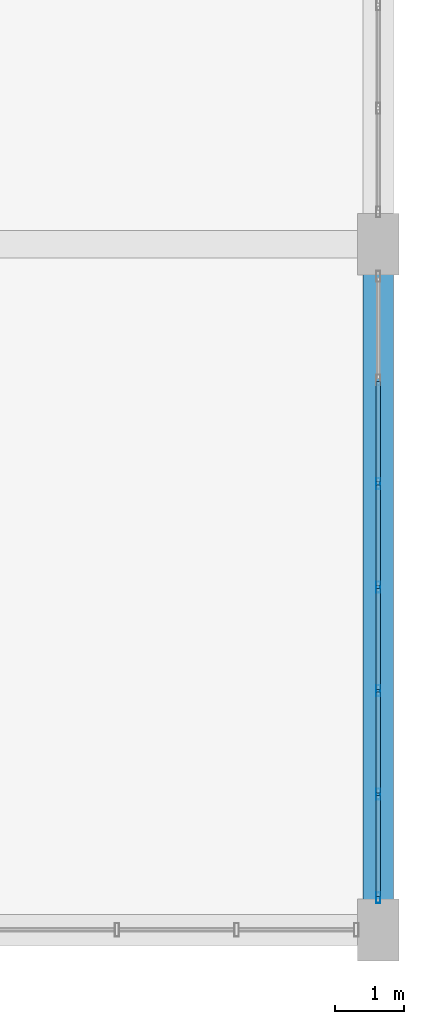
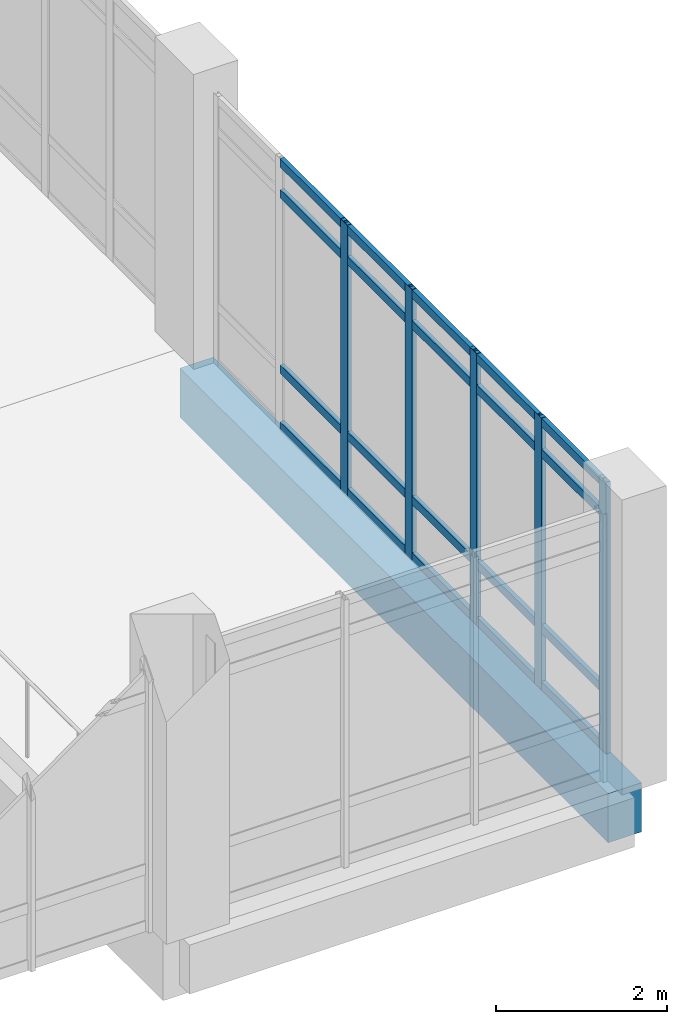
# One storey, part 103 of 161: 25 members, 1 beam, 1 element without a shape of its own.
"""IFC4 building model written with IfcOpenShell, lengths in metres."""

from ifc_helpers import new_model, si_unit, direction, frame, origin, origin_2d, place, context, subcontext, project, spatial, rectangle, hollow_rectangle, extrude, material, layer, layer_set, material_profile, profile_set, type_object, element, aggregate, save


model = new_model("IFC4")

# Units and contexts
model_context = context("Model", 3, precision=1e-05, world=origin(), true_north=direction((0.0, 1.0)))
body_context = subcontext(model_context, "Body", "Model", "MODEL_VIEW")
ifc_project = project(units=[si_unit("LENGTHUNIT", "METRE"), si_unit("AREAUNIT", "SQUARE_METRE"), si_unit("VOLUMEUNIT", "CUBIC_METRE"), si_unit("PLANEANGLEUNIT", "RADIAN"), si_unit("MASSUNIT", "GRAM", prefix="KILO")], contexts=[model_context])

# Site, building, storey
site_placement = place(None, origin())
site = spatial("IfcSite", under=ifc_project, at=site_placement, CompositionType="ELEMENT")
building_placement = place(site_placement, origin())
building = spatial("IfcBuilding", under=site, at=building_placement, Name="Mersad Railyard Sports Hall", CompositionType="ELEMENT")
storey_placement = place(building_placement, frame((0.0, 0.0, 4.800048828125)))
storey = spatial("IfcBuildingStorey", under=building, at=storey_placement, Name="L01", CompositionType="ELEMENT", Elevation=4.800048828125)

# Curtain wall, members
ifc_material_1 = material(Name="Aluminium 6063-T6", Category="aluminium")
ifc_layer = layer(ifc_material_1, 0.159912109375)
ifc_layer_set = layer_set([ifc_layer], Name="Aluminium 6063-T6")
curtain_wall_type = type_object("IfcCurtainWallType", Name="ARC-CW-CW14", PredefinedType="USERDEFINED", material=ifc_layer_set)
curtain_wall_placement = place(storey_placement, origin())
curtain_wall = element("IfcCurtainWall", 1, at=curtain_wall_placement, inside=storey, type_object=curtain_wall_type, Name="Curtain wall CW14-0044", ObjectType="CURTAIN WALL", PredefinedType="USERDEFINED")
ifc_material_profile_1 = material_profile(ifc_material_1, hollow_rectangle(XDim=0.06005859375, YDim=0.159912109375, WallThickness=0.00390625, at=origin_2d()), Name="AL MULLION 60x160x4")
ifc_profile_set_1 = profile_set([ifc_material_profile_1], Name="Aluminium 6063-T6")
member_type_1 = type_object("IfcMemberType", Name="ARC-CW-MUL01", PredefinedType="MULLION", material=ifc_profile_set_1)
member_1_placement = place(storey_placement, frame((179.0, 10.010009765625, -0.02001953125), z_axis=(0.0, 0.0, 1.0), x_axis=(1.0, 0.0, 0.0)))
member_1 = element("IfcMember", 2, at=member_1_placement, type_object=member_type_1, Name="CW14 Mullion 3", PredefinedType="MULLION", context=body_context, shape_type="SweptSolid", body=[
    extrude(hollow_rectangle(XDim=0.06005859375, YDim=0.159912109375, WallThickness=0.00390625, at=origin_2d()), origin(), (0.0, 0.0, 1.0), 3.869873046875),
])
member_2_placement = place(storey_placement, frame((179.0, 8.5, -0.02001953125), z_axis=(0.0, 0.0, 1.0), x_axis=(1.0, 0.0, 0.0)))
member_2 = element("IfcMember", 3, at=member_2_placement, type_object=member_type_1, Name="CW14 Mullion 4", PredefinedType="MULLION", context=body_context, shape_type="SweptSolid", body=[
    extrude(hollow_rectangle(XDim=0.06005859375, YDim=0.159912109375, WallThickness=0.00390625, at=origin_2d()), origin(), (0.0, 0.0, 1.0), 3.869873046875),
])
member_3_placement = place(storey_placement, frame((179.0, 6.989990234375, -0.02001953125), z_axis=(0.0, 0.0, 1.0), x_axis=(1.0, 0.0, 0.0)))
member_3 = element("IfcMember", 4, at=member_3_placement, type_object=member_type_1, Name="CW14 Mullion 5", PredefinedType="MULLION", context=body_context, shape_type="SweptSolid", body=[
    extrude(hollow_rectangle(XDim=0.06005859375, YDim=0.159912109375, WallThickness=0.00390625, at=origin_2d()), origin(), (0.0, 0.0, 1.0), 3.869873046875),
])
member_4_placement = place(storey_placement, frame((179.0, 5.47998046875, -0.02001953125), z_axis=(0.0, 0.0, 1.0), x_axis=(1.0, 0.0, 0.0)))
member_4 = element("IfcMember", 5, at=member_4_placement, type_object=member_type_1, Name="CW14 Mullion 6", PredefinedType="MULLION", context=body_context, shape_type="SweptSolid", body=[
    extrude(hollow_rectangle(XDim=0.06005859375, YDim=0.159912109375, WallThickness=0.00390625, at=origin_2d()), origin(), (0.0, 0.0, 1.0), 3.869873046875),
])
member_5_placement = place(storey_placement, frame((179.0, 3.969970703125, -0.02001953125), z_axis=(0.0, 0.0, 1.0), x_axis=(1.0, 0.0, 0.0)))
member_5 = element("IfcMember", 6, at=member_5_placement, type_object=member_type_1, Name="CW14 Mullion 7", PredefinedType="MULLION", context=body_context, shape_type="SweptSolid", body=[
    extrude(hollow_rectangle(XDim=0.06005859375, YDim=0.159912109375, WallThickness=0.00390625, at=origin_2d()), origin(), (0.0, 0.0, 1.0), 3.869873046875),
])
ifc_material_profile_2 = material_profile(ifc_material_1, hollow_rectangle(XDim=0.06005859375, YDim=0.1201171875, WallThickness=0.00390625, at=origin_2d()), Name="AL TRANSOM 60x120x4")
ifc_profile_set_2 = profile_set([ifc_material_profile_2], Name="Aluminium 6063-T6")
member_type_2 = type_object("IfcMemberType", Name="ARC-CW-TRN01", PredefinedType="USERDEFINED", material=ifc_profile_set_2)
member_6_placement = place(storey_placement, frame((179.0, 11.5, 0.0400390625), z_axis=(0.0, -1.0, 0.0), x_axis=(1.0, 0.0, 0.0)))
member_6 = element("IfcMember", 7, at=member_6_placement, type_object=member_type_2, Name="CW14 Transom 1-2", ObjectType="TRANSOM", PredefinedType="USERDEFINED", context=body_context, shape_type="SweptSolid", body=[
    extrude(hollow_rectangle(XDim=0.06005859375, YDim=0.1201171875, WallThickness=0.00390625, at=origin_2d()), origin(), (0.0, 0.0, 1.0), 1.469970703125),
])
member_7_placement = place(storey_placement, frame((179.0, 9.989990234375, 0.0400390625), z_axis=(0.0, -1.0, 0.0), x_axis=(1.0, 0.0, 0.0)))
member_7 = element("IfcMember", 8, at=member_7_placement, type_object=member_type_2, Name="CW14 Transom 1-3", ObjectType="TRANSOM", PredefinedType="USERDEFINED", context=body_context, shape_type="SweptSolid", body=[
    extrude(hollow_rectangle(XDim=0.06005859375, YDim=0.1201171875, WallThickness=0.00390625, at=origin_2d()), origin(), (0.0, 0.0, 1.0), 1.469970703125),
])
member_8_placement = place(storey_placement, frame((179.0, 8.47998046875, 0.0400390625), z_axis=(0.0, -1.0, 0.0), x_axis=(1.0, 0.0, 0.0)))
member_8 = element("IfcMember", 9, at=member_8_placement, type_object=member_type_2, Name="CW14 Transom 1-4", ObjectType="TRANSOM", PredefinedType="USERDEFINED", context=body_context, shape_type="SweptSolid", body=[
    extrude(hollow_rectangle(XDim=0.06005859375, YDim=0.1201171875, WallThickness=0.00390625, at=origin_2d()), origin(), (0.0, 0.0, 1.0), 1.469970703125),
])
member_9_placement = place(storey_placement, frame((179.0, 6.969970703125, 0.0400390625), z_axis=(0.0, -1.0, 0.0), x_axis=(1.0, 0.0, 0.0)))
member_9 = element("IfcMember", 10, at=member_9_placement, type_object=member_type_2, Name="CW14 Transom 1-5", ObjectType="TRANSOM", PredefinedType="USERDEFINED", context=body_context, shape_type="SweptSolid", body=[
    extrude(hollow_rectangle(XDim=0.06005859375, YDim=0.1201171875, WallThickness=0.00390625, at=origin_2d()), origin(), (0.0, 0.0, 1.0), 1.469970703125),
])
member_10_placement = place(storey_placement, frame((179.0, 5.4599609375, 0.0400390625), z_axis=(0.0, -1.0, 0.0), x_axis=(1.0, 0.0, 0.0)))
member_10 = element("IfcMember", 11, at=member_10_placement, type_object=member_type_2, Name="CW14 Transom 1-6", ObjectType="TRANSOM", PredefinedType="USERDEFINED", context=body_context, shape_type="SweptSolid", body=[
    extrude(hollow_rectangle(XDim=0.06005859375, YDim=0.1201171875, WallThickness=0.00390625, at=origin_2d()), origin(), (0.0, 0.0, 1.0), 1.469970703125),
])
member_11_placement = place(storey_placement, frame((179.0, 11.5, 0.849853515625), z_axis=(0.0, -1.0, 0.0), x_axis=(1.0, 0.0, 0.0)))
member_11 = element("IfcMember", 12, at=member_11_placement, type_object=member_type_2, Name="CW14 Transom 2-2", ObjectType="TRANSOM", PredefinedType="USERDEFINED", context=body_context, shape_type="SweptSolid", body=[
    extrude(hollow_rectangle(XDim=0.06005859375, YDim=0.1201171875, WallThickness=0.00390625, at=origin_2d()), origin(), (0.0, 0.0, 1.0), 1.469970703125),
])
member_12_placement = place(storey_placement, frame((179.0, 9.989990234375, 0.849853515625), z_axis=(0.0, -1.0, 0.0), x_axis=(1.0, 0.0, 0.0)))
member_12 = element("IfcMember", 13, at=member_12_placement, type_object=member_type_2, Name="CW14 Transom 2-3", ObjectType="TRANSOM", PredefinedType="USERDEFINED", context=body_context, shape_type="SweptSolid", body=[
    extrude(hollow_rectangle(XDim=0.06005859375, YDim=0.1201171875, WallThickness=0.00390625, at=origin_2d()), origin(), (0.0, 0.0, 1.0), 1.469970703125),
])
member_13_placement = place(storey_placement, frame((179.0, 8.47998046875, 0.849853515625), z_axis=(0.0, -1.0, 0.0), x_axis=(1.0, 0.0, 0.0)))
member_13 = element("IfcMember", 14, at=member_13_placement, type_object=member_type_2, Name="CW14 Transom 2-4", ObjectType="TRANSOM", PredefinedType="USERDEFINED", context=body_context, shape_type="SweptSolid", body=[
    extrude(hollow_rectangle(XDim=0.06005859375, YDim=0.1201171875, WallThickness=0.00390625, at=origin_2d()), origin(), (0.0, 0.0, 1.0), 1.469970703125),
])
member_14_placement = place(storey_placement, frame((179.0, 6.969970703125, 0.849853515625), z_axis=(0.0, -1.0, 0.0), x_axis=(1.0, 0.0, 0.0)))
member_14 = element("IfcMember", 15, at=member_14_placement, type_object=member_type_2, Name="CW14 Transom 2-5", ObjectType="TRANSOM", PredefinedType="USERDEFINED", context=body_context, shape_type="SweptSolid", body=[
    extrude(hollow_rectangle(XDim=0.06005859375, YDim=0.1201171875, WallThickness=0.00390625, at=origin_2d()), origin(), (0.0, 0.0, 1.0), 1.469970703125),
])
member_15_placement = place(storey_placement, frame((179.0, 5.4599609375, 0.849853515625), z_axis=(0.0, -1.0, 0.0), x_axis=(1.0, 0.0, 0.0)))
member_15 = element("IfcMember", 16, at=member_15_placement, type_object=member_type_2, Name="CW14 Transom 2-6", ObjectType="TRANSOM", PredefinedType="USERDEFINED", context=body_context, shape_type="SweptSolid", body=[
    extrude(hollow_rectangle(XDim=0.06005859375, YDim=0.1201171875, WallThickness=0.00390625, at=origin_2d()), origin(), (0.0, 0.0, 1.0), 1.469970703125),
])
member_16_placement = place(storey_placement, frame((179.0, 11.5, 3.349853515625), z_axis=(0.0, -1.0, 0.0), x_axis=(1.0, 0.0, 0.0)))
member_16 = element("IfcMember", 17, at=member_16_placement, type_object=member_type_2, Name="CW14 Transom 3-2", ObjectType="TRANSOM", PredefinedType="USERDEFINED", context=body_context, shape_type="SweptSolid", body=[
    extrude(hollow_rectangle(XDim=0.06005859375, YDim=0.1201171875, WallThickness=0.00390625, at=origin_2d()), origin(), (0.0, 0.0, 1.0), 1.469970703125),
])
member_17_placement = place(storey_placement, frame((179.0, 9.989990234375, 3.349853515625), z_axis=(0.0, -1.0, 0.0), x_axis=(1.0, 0.0, 0.0)))
member_17 = element("IfcMember", 18, at=member_17_placement, type_object=member_type_2, Name="CW14 Transom 3-3", ObjectType="TRANSOM", PredefinedType="USERDEFINED", context=body_context, shape_type="SweptSolid", body=[
    extrude(hollow_rectangle(XDim=0.06005859375, YDim=0.1201171875, WallThickness=0.00390625, at=origin_2d()), origin(), (0.0, 0.0, 1.0), 1.469970703125),
])
member_18_placement = place(storey_placement, frame((179.0, 8.47998046875, 3.349853515625), z_axis=(0.0, -1.0, 0.0), x_axis=(1.0, 0.0, 0.0)))
member_18 = element("IfcMember", 19, at=member_18_placement, type_object=member_type_2, Name="CW14 Transom 3-4", ObjectType="TRANSOM", PredefinedType="USERDEFINED", context=body_context, shape_type="SweptSolid", body=[
    extrude(hollow_rectangle(XDim=0.06005859375, YDim=0.1201171875, WallThickness=0.00390625, at=origin_2d()), origin(), (0.0, 0.0, 1.0), 1.469970703125),
])
member_19_placement = place(storey_placement, frame((179.0, 6.969970703125, 3.349853515625), z_axis=(0.0, -1.0, 0.0), x_axis=(1.0, 0.0, 0.0)))
member_19 = element("IfcMember", 20, at=member_19_placement, type_object=member_type_2, Name="CW14 Transom 3-5", ObjectType="TRANSOM", PredefinedType="USERDEFINED", context=body_context, shape_type="SweptSolid", body=[
    extrude(hollow_rectangle(XDim=0.06005859375, YDim=0.1201171875, WallThickness=0.00390625, at=origin_2d()), origin(), (0.0, 0.0, 1.0), 1.469970703125),
])
member_20_placement = place(storey_placement, frame((179.0, 5.4599609375, 3.349853515625), z_axis=(0.0, -1.0, 0.0), x_axis=(1.0, 0.0, 0.0)))
member_20 = element("IfcMember", 21, at=member_20_placement, type_object=member_type_2, Name="CW14 Transom 3-6", ObjectType="TRANSOM", PredefinedType="USERDEFINED", context=body_context, shape_type="SweptSolid", body=[
    extrude(hollow_rectangle(XDim=0.06005859375, YDim=0.1201171875, WallThickness=0.00390625, at=origin_2d()), origin(), (0.0, 0.0, 1.0), 1.469970703125),
])
member_21_placement = place(storey_placement, frame((179.0, 11.5, 3.7900390625), z_axis=(0.0, -1.0, 0.0), x_axis=(1.0, 0.0, 0.0)))
member_21 = element("IfcMember", 22, at=member_21_placement, type_object=member_type_2, Name="CW14 Transom 4-2", ObjectType="TRANSOM", PredefinedType="USERDEFINED", context=body_context, shape_type="SweptSolid", body=[
    extrude(hollow_rectangle(XDim=0.06005859375, YDim=0.1201171875, WallThickness=0.00390625, at=origin_2d()), origin(), (0.0, 0.0, 1.0), 1.469970703125),
])
member_22_placement = place(storey_placement, frame((179.0, 9.989990234375, 3.7900390625), z_axis=(0.0, -1.0, 0.0), x_axis=(1.0, 0.0, 0.0)))
member_22 = element("IfcMember", 23, at=member_22_placement, type_object=member_type_2, Name="CW14 Transom 4-3", ObjectType="TRANSOM", PredefinedType="USERDEFINED", context=body_context, shape_type="SweptSolid", body=[
    extrude(hollow_rectangle(XDim=0.06005859375, YDim=0.1201171875, WallThickness=0.00390625, at=origin_2d()), origin(), (0.0, 0.0, 1.0), 1.469970703125),
])
member_23_placement = place(storey_placement, frame((179.0, 8.47998046875, 3.7900390625), z_axis=(0.0, -1.0, 0.0), x_axis=(1.0, 0.0, 0.0)))
member_23 = element("IfcMember", 24, at=member_23_placement, type_object=member_type_2, Name="CW14 Transom 4-4", ObjectType="TRANSOM", PredefinedType="USERDEFINED", context=body_context, shape_type="SweptSolid", body=[
    extrude(hollow_rectangle(XDim=0.06005859375, YDim=0.1201171875, WallThickness=0.00390625, at=origin_2d()), origin(), (0.0, 0.0, 1.0), 1.469970703125),
])
member_24_placement = place(storey_placement, frame((179.0, 6.969970703125, 3.7900390625), z_axis=(0.0, -1.0, 0.0), x_axis=(1.0, 0.0, 0.0)))
member_24 = element("IfcMember", 25, at=member_24_placement, type_object=member_type_2, Name="CW14 Transom 4-5", ObjectType="TRANSOM", PredefinedType="USERDEFINED", context=body_context, shape_type="SweptSolid", body=[
    extrude(hollow_rectangle(XDim=0.06005859375, YDim=0.1201171875, WallThickness=0.00390625, at=origin_2d()), origin(), (0.0, 0.0, 1.0), 1.469970703125),
])
member_25_placement = place(storey_placement, frame((179.0, 5.4599609375, 3.7900390625), z_axis=(0.0, -1.0, 0.0), x_axis=(1.0, 0.0, 0.0)))
member_25 = element("IfcMember", 26, at=member_25_placement, type_object=member_type_2, Name="CW14 Transom 4-6", ObjectType="TRANSOM", PredefinedType="USERDEFINED", context=body_context, shape_type="SweptSolid", body=[
    extrude(hollow_rectangle(XDim=0.06005859375, YDim=0.1201171875, WallThickness=0.00390625, at=origin_2d()), origin(), (0.0, 0.0, 1.0), 1.469970703125),
])
aggregate(curtain_wall, [member_1, member_2, member_3, member_4, member_5, member_6, member_7, member_8, member_9, member_10, member_11, member_12, member_13, member_14, member_15, member_16, member_17, member_18, member_19, member_20, member_21, member_22, member_23, member_24, member_25])

# Beam
ifc_material_2 = material(Name="Architectural concrete C40/50", Category="concrete")
ifc_material_profile_3 = material_profile(ifc_material_2, rectangle(XDim=0.449951171875, YDim=0.699951171875, at=origin_2d()), Name="RC 450x700")
ifc_profile_set_3 = profile_set([ifc_material_profile_3], Name="Architectural concrete C40/50")
beam_type = type_object("IfcBeamType", Name="STR-BM-SP01", PredefinedType="SPANDREL", material=ifc_profile_set_3)
beam_placement = place(storey_placement, frame((179.0, 3.5, -0.630126953125), z_axis=(0.0, 1.0, 0.0), x_axis=(-1.0, 0.0, 0.0)))
element("IfcBeam", 27, at=beam_placement, inside=storey, type_object=beam_type, Name="Beam SP01-0654", PredefinedType="SPANDREL", context=body_context, shape_type="SweptSolid", body=[
    extrude(rectangle(XDim=0.449951171875, YDim=0.699951171875, at=origin_2d()), origin(), (0.0, 0.0, 1.0), 10.0),
])

save(model, "model.ifc")
